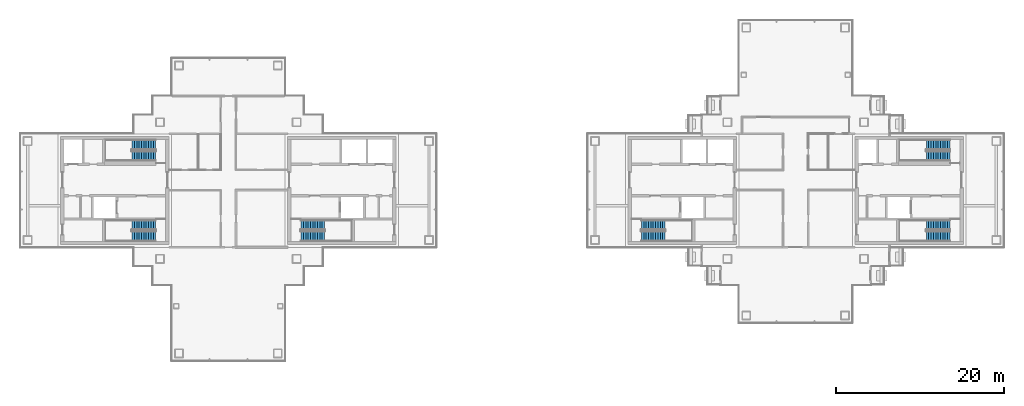
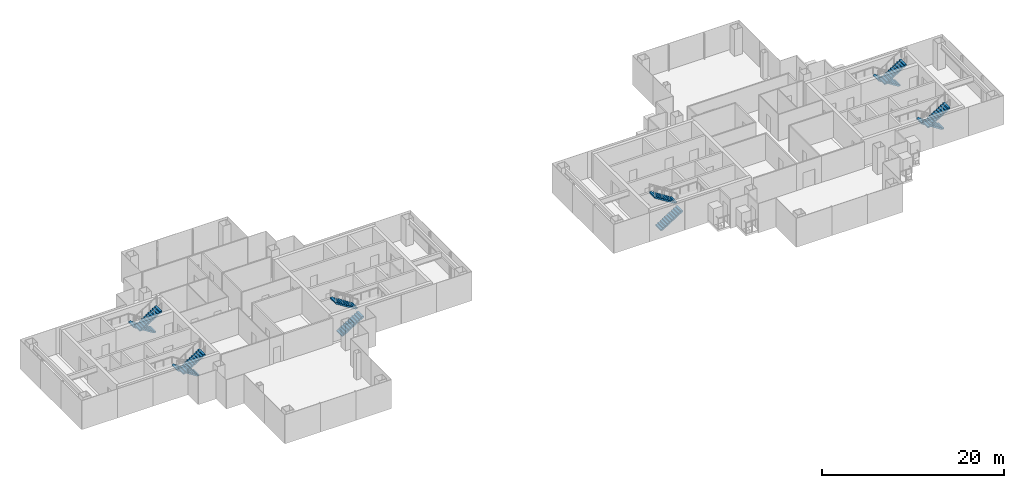
# One storey, part 13 of 16: 12 stair flights, 6 elements without a shape of their own.
"""IFC4 building model written with IfcOpenShell, lengths in metres."""

from ifc_helpers import new_model, si_unit, direction, frame, origin, place, context, subcontext, project, spatial, polyline, outline, extrude, material, type_object, element, aggregate, save


model = new_model("IFC4")

# Units and contexts
model_context = context("Model", 3, precision=1e-05, world=origin(), true_north=direction((0.0, 1.0)))
body_context = subcontext(model_context, "Body", "Model", "MODEL_VIEW")
ifc_project = project(units=[si_unit("LENGTHUNIT", "METRE"), si_unit("AREAUNIT", "SQUARE_METRE"), si_unit("VOLUMEUNIT", "CUBIC_METRE"), si_unit("PLANEANGLEUNIT", "RADIAN"), si_unit("MASSUNIT", "GRAM", prefix="KILO")], contexts=[model_context])

# Site, building, storey
site_placement = place(None, origin())
site = spatial("IfcSite", under=ifc_project, at=site_placement, CompositionType="ELEMENT")
building_placement = place(site_placement, origin())
building = spatial("IfcBuilding", under=site, at=building_placement, Name="Shamsa Quay Exchange Towers", CompositionType="ELEMENT")
storey_placement = place(building_placement, frame((0.0, 0.0, 213.89990234375)))
storey = spatial("IfcBuildingStorey", under=building, at=storey_placement, Name="L51", CompositionType="ELEMENT", Elevation=213.89990234375)

# Stair, stair flights
ifc_material = material(Name="Concrete C40/50", Category="concrete")
stair_type = type_object("IfcStairType", Name="EXIT STAIR 22 RISERS 177 MM", PredefinedType="HALF_TURN_STAIR", material=ifc_material)
stair_1_placement = place(storey_placement, origin())
stair_1 = element("IfcStair", 1, at=stair_1_placement, inside=storey, type_object=stair_type, Name="L51 Exit stair ST1", PredefinedType="HALF_TURN_STAIR")
stair_flight_type = type_object("IfcStairFlightType", Name="EXIT STAIR FLIGHT 11 RISERS 177 MM", PredefinedType="STRAIGHT", material=ifc_material)
stair_flight_1_placement = place(storey_placement, frame((-25.10009765625, -5.449951171875, 0.0)))
stair_flight_1 = element("IfcStairFlight", 2, at=stair_flight_1_placement, type_object=stair_flight_type, Name="ST1 flight 1", NumberOfRisers=11, NumberOfTreads=10, PredefinedType="STRAIGHT", RiserHeight=0.177272727, TreadLength=0.28, context=body_context, shape_type="SweptSolid", body=[
    extrude(outline(polyline([(0.0, 0.0), (0.0, 0.17724609375), (0.280029296875, 0.17724609375), (0.280029296875, 0.3544921875), (0.56005859375, 0.3544921875), (0.56005859375, 0.53173828125), (0.840087890625, 0.53173828125), (0.840087890625, 0.708984375), (1.1201171875, 0.708984375), (1.1201171875, 0.886474609375), (1.39990234375, 0.886474609375), (1.39990234375, 1.063720703125), (1.679931640625, 1.063720703125), (1.679931640625, 1.240966796875), (1.9599609375, 1.240966796875), (1.9599609375, 1.418212890625), (2.239990234375, 1.418212890625), (2.239990234375, 1.595458984375), (2.52001953125, 1.595458984375), (2.52001953125, 1.772705078125), (2.800048828125, 1.772705078125), (2.800048828125, 1.949951171875), (2.800048828125, 1.607177734375), (0.261474609375, 0.0), (0.0, 0.0)])), frame((0.0, 0.60009765625, 0.0), z_axis=(0.0, -1.0, 0.0), x_axis=(1.0, 0.0, 0.0)), (0.0, 0.0, 1.0), 1.199951171875),
])
stair_flight_2_placement = place(storey_placement, frame((-22.300048828125, -4.10009765625, 1.9501953125), z_axis=(0.0, 0.0, 1.0), x_axis=(-1.0, 0.0, 0.0)))
stair_flight_2 = element("IfcStairFlight", 3, at=stair_flight_2_placement, type_object=stair_flight_type, Name="ST1 flight 2", NumberOfRisers=11, NumberOfTreads=10, PredefinedType="STRAIGHT", RiserHeight=0.177272727, TreadLength=0.28, context=body_context, shape_type="SweptSolid", body=[
    extrude(outline(polyline([(0.0, 0.0), (0.0, 0.17724609375), (0.280029296875, 0.17724609375), (0.280029296875, 0.3544921875), (0.56005859375, 0.3544921875), (0.56005859375, 0.53173828125), (0.840087890625, 0.53173828125), (0.840087890625, 0.708984375), (1.1201171875, 0.708984375), (1.1201171875, 0.886474609375), (1.39990234375, 0.886474609375), (1.39990234375, 1.063720703125), (1.679931640625, 1.063720703125), (1.679931640625, 1.240966796875), (1.9599609375, 1.240966796875), (1.9599609375, 1.418212890625), (2.239990234375, 1.418212890625), (2.239990234375, 1.595458984375), (2.52001953125, 1.595458984375), (2.52001953125, 1.772705078125), (2.800048828125, 1.772705078125), (2.800048828125, 1.949951171875), (2.800048828125, 1.607177734375), (0.261474609375, 0.0), (0.0, 0.0)])), frame((0.0, 0.60009765625, 0.0), z_axis=(0.0, -1.0, 0.0), x_axis=(1.0, 0.0, 0.0)), (0.0, 0.0, 1.0), 1.199951171875),
])
aggregate(stair_1, [stair_flight_1, stair_flight_2])

stair_2_placement = place(storey_placement, origin())
stair_2 = element("IfcStair", 4, at=stair_2_placement, inside=storey, type_object=stair_type, Name="L51 Exit stair ST2", PredefinedType="HALF_TURN_STAIR")
stair_flight_3_placement = place(storey_placement, frame((-42.39990234375, -4.10009765625, 0.0), z_axis=(0.0, 0.0, 1.0), x_axis=(-1.0, 0.0, 0.0)))
stair_flight_3 = element("IfcStairFlight", 5, at=stair_flight_3_placement, type_object=stair_flight_type, Name="ST2 flight 1", NumberOfRisers=11, NumberOfTreads=10, PredefinedType="STRAIGHT", RiserHeight=0.177272727, TreadLength=0.28, context=body_context, shape_type="SweptSolid", body=[
    extrude(outline(polyline([(0.0, 0.0), (0.0, 0.17724609375), (0.280029296875, 0.17724609375), (0.280029296875, 0.3544921875), (0.56005859375, 0.3544921875), (0.56005859375, 0.53173828125), (0.840087890625, 0.53173828125), (0.840087890625, 0.708984375), (1.1201171875, 0.708984375), (1.1201171875, 0.886474609375), (1.39990234375, 0.886474609375), (1.39990234375, 1.063720703125), (1.679931640625, 1.063720703125), (1.679931640625, 1.240966796875), (1.9599609375, 1.240966796875), (1.9599609375, 1.418212890625), (2.239990234375, 1.418212890625), (2.239990234375, 1.595458984375), (2.52001953125, 1.595458984375), (2.52001953125, 1.772705078125), (2.800048828125, 1.772705078125), (2.800048828125, 1.949951171875), (2.800048828125, 1.607177734375), (0.261474609375, 0.0), (0.0, 0.0)])), frame((0.0, 0.60009765625, 0.0), z_axis=(0.0, -1.0, 0.0), x_axis=(1.0, 0.0, 0.0)), (0.0, 0.0, 1.0), 1.199951171875),
])
stair_flight_4_placement = place(storey_placement, frame((-45.199951171875, -5.449951171875, 1.9501953125)))
stair_flight_4 = element("IfcStairFlight", 6, at=stair_flight_4_placement, type_object=stair_flight_type, Name="ST2 flight 2", NumberOfRisers=11, NumberOfTreads=10, PredefinedType="STRAIGHT", RiserHeight=0.177272727, TreadLength=0.28, context=body_context, shape_type="SweptSolid", body=[
    extrude(outline(polyline([(0.0, 0.0), (0.0, 0.17724609375), (0.280029296875, 0.17724609375), (0.280029296875, 0.3544921875), (0.56005859375, 0.3544921875), (0.56005859375, 0.53173828125), (0.840087890625, 0.53173828125), (0.840087890625, 0.708984375), (1.1201171875, 0.708984375), (1.1201171875, 0.886474609375), (1.39990234375, 0.886474609375), (1.39990234375, 1.063720703125), (1.679931640625, 1.063720703125), (1.679931640625, 1.240966796875), (1.9599609375, 1.240966796875), (1.9599609375, 1.418212890625), (2.239990234375, 1.418212890625), (2.239990234375, 1.595458984375), (2.52001953125, 1.595458984375), (2.52001953125, 1.772705078125), (2.800048828125, 1.772705078125), (2.800048828125, 1.949951171875), (2.800048828125, 1.607177734375), (0.261474609375, 0.0), (0.0, 0.0)])), frame((0.0, 0.60009765625, 0.0), z_axis=(0.0, -1.0, 0.0), x_axis=(1.0, 0.0, 0.0)), (0.0, 0.0, 1.0), 1.199951171875),
])
aggregate(stair_2, [stair_flight_3, stair_flight_4])

stair_3_placement = place(storey_placement, origin())
stair_3 = element("IfcStair", 7, at=stair_3_placement, inside=storey, type_object=stair_type, Name="L51 Exit stair ST3", PredefinedType="HALF_TURN_STAIR")
stair_flight_5_placement = place(storey_placement, frame((-42.39990234375, 5.449951171875, 0.0), z_axis=(0.0, 0.0, 1.0), x_axis=(-1.0, 0.0, 0.0)))
stair_flight_5 = element("IfcStairFlight", 8, at=stair_flight_5_placement, type_object=stair_flight_type, Name="ST3 flight 1", NumberOfRisers=11, NumberOfTreads=10, PredefinedType="STRAIGHT", RiserHeight=0.177272727, TreadLength=0.28, context=body_context, shape_type="SweptSolid", body=[
    extrude(outline(polyline([(0.0, 0.0), (0.0, 0.17724609375), (0.280029296875, 0.17724609375), (0.280029296875, 0.3544921875), (0.56005859375, 0.3544921875), (0.56005859375, 0.53173828125), (0.840087890625, 0.53173828125), (0.840087890625, 0.708984375), (1.1201171875, 0.708984375), (1.1201171875, 0.886474609375), (1.39990234375, 0.886474609375), (1.39990234375, 1.063720703125), (1.679931640625, 1.063720703125), (1.679931640625, 1.240966796875), (1.9599609375, 1.240966796875), (1.9599609375, 1.418212890625), (2.239990234375, 1.418212890625), (2.239990234375, 1.595458984375), (2.52001953125, 1.595458984375), (2.52001953125, 1.772705078125), (2.800048828125, 1.772705078125), (2.800048828125, 1.949951171875), (2.800048828125, 1.607177734375), (0.261474609375, 0.0), (0.0, 0.0)])), frame((0.0, 0.60009765625, 0.0), z_axis=(0.0, -1.0, 0.0), x_axis=(1.0, 0.0, 0.0)), (0.0, 0.0, 1.0), 1.199951171875),
])
stair_flight_6_placement = place(storey_placement, frame((-45.199951171875, 4.10009765625, 1.9501953125)))
stair_flight_6 = element("IfcStairFlight", 9, at=stair_flight_6_placement, type_object=stair_flight_type, Name="ST3 flight 2", NumberOfRisers=11, NumberOfTreads=10, PredefinedType="STRAIGHT", RiserHeight=0.177272727, TreadLength=0.28, context=body_context, shape_type="SweptSolid", body=[
    extrude(outline(polyline([(0.0, 0.0), (0.0, 0.17724609375), (0.280029296875, 0.17724609375), (0.280029296875, 0.3544921875), (0.56005859375, 0.3544921875), (0.56005859375, 0.53173828125), (0.840087890625, 0.53173828125), (0.840087890625, 0.708984375), (1.1201171875, 0.708984375), (1.1201171875, 0.886474609375), (1.39990234375, 0.886474609375), (1.39990234375, 1.063720703125), (1.679931640625, 1.063720703125), (1.679931640625, 1.240966796875), (1.9599609375, 1.240966796875), (1.9599609375, 1.418212890625), (2.239990234375, 1.418212890625), (2.239990234375, 1.595458984375), (2.52001953125, 1.595458984375), (2.52001953125, 1.772705078125), (2.800048828125, 1.772705078125), (2.800048828125, 1.949951171875), (2.800048828125, 1.607177734375), (0.261474609375, 0.0), (0.0, 0.0)])), frame((0.0, 0.60009765625, 0.0), z_axis=(0.0, -1.0, 0.0), x_axis=(1.0, 0.0, 0.0)), (0.0, 0.0, 1.0), 1.199951171875),
])
aggregate(stair_3, [stair_flight_5, stair_flight_6])

stair_4_placement = place(storey_placement, origin())
stair_4 = element("IfcStair", 10, at=stair_4_placement, inside=storey, type_object=stair_type, Name="L51 Exit stair ST4", PredefinedType="HALF_TURN_STAIR")
stair_flight_7_placement = place(storey_placement, frame((15.39990234375, -5.449951171875, 0.0)))
stair_flight_7 = element("IfcStairFlight", 11, at=stair_flight_7_placement, type_object=stair_flight_type, Name="ST4 flight 1", NumberOfRisers=11, NumberOfTreads=10, PredefinedType="STRAIGHT", RiserHeight=0.177272727, TreadLength=0.28, context=body_context, shape_type="SweptSolid", body=[
    extrude(outline(polyline([(0.0, 0.0), (0.0, 0.17724609375), (0.280029296875, 0.17724609375), (0.280029296875, 0.3544921875), (0.56005859375, 0.3544921875), (0.56005859375, 0.53173828125), (0.840087890625, 0.53173828125), (0.840087890625, 0.708984375), (1.1201171875, 0.708984375), (1.1201171875, 0.886474609375), (1.39990234375, 0.886474609375), (1.39990234375, 1.063720703125), (1.679931640625, 1.063720703125), (1.679931640625, 1.240966796875), (1.9599609375, 1.240966796875), (1.9599609375, 1.418212890625), (2.239990234375, 1.418212890625), (2.239990234375, 1.595458984375), (2.52001953125, 1.595458984375), (2.52001953125, 1.772705078125), (2.800048828125, 1.772705078125), (2.800048828125, 1.949951171875), (2.800048828125, 1.607177734375), (0.261474609375, 0.0), (0.0, 0.0)])), frame((0.0, 0.60009765625, 0.0), z_axis=(0.0, -1.0, 0.0), x_axis=(1.0, 0.0, 0.0)), (0.0, 0.0, 1.0), 1.199951171875),
])
stair_flight_8_placement = place(storey_placement, frame((18.199951171875, -4.10009765625, 1.9501953125), z_axis=(0.0, 0.0, 1.0), x_axis=(-1.0, 0.0, 0.0)))
stair_flight_8 = element("IfcStairFlight", 12, at=stair_flight_8_placement, type_object=stair_flight_type, Name="ST4 flight 2", NumberOfRisers=11, NumberOfTreads=10, PredefinedType="STRAIGHT", RiserHeight=0.177272727, TreadLength=0.28, context=body_context, shape_type="SweptSolid", body=[
    extrude(outline(polyline([(0.0, 0.0), (0.0, 0.17724609375), (0.280029296875, 0.17724609375), (0.280029296875, 0.3544921875), (0.56005859375, 0.3544921875), (0.56005859375, 0.53173828125), (0.840087890625, 0.53173828125), (0.840087890625, 0.708984375), (1.1201171875, 0.708984375), (1.1201171875, 0.886474609375), (1.39990234375, 0.886474609375), (1.39990234375, 1.063720703125), (1.679931640625, 1.063720703125), (1.679931640625, 1.240966796875), (1.9599609375, 1.240966796875), (1.9599609375, 1.418212890625), (2.239990234375, 1.418212890625), (2.239990234375, 1.595458984375), (2.52001953125, 1.595458984375), (2.52001953125, 1.772705078125), (2.800048828125, 1.772705078125), (2.800048828125, 1.949951171875), (2.800048828125, 1.607177734375), (0.261474609375, 0.0), (0.0, 0.0)])), frame((0.0, 0.60009765625, 0.0), z_axis=(0.0, -1.0, 0.0), x_axis=(1.0, 0.0, 0.0)), (0.0, 0.0, 1.0), 1.199951171875),
])
aggregate(stair_4, [stair_flight_7, stair_flight_8])

stair_5_placement = place(storey_placement, origin())
stair_5 = element("IfcStair", 13, at=stair_5_placement, inside=storey, type_object=stair_type, Name="L51 Exit stair ST5", PredefinedType="HALF_TURN_STAIR")
stair_flight_9_placement = place(storey_placement, frame((52.10009765625, -4.10009765625, 0.0), z_axis=(0.0, 0.0, 1.0), x_axis=(-1.0, 0.0, 0.0)))
stair_flight_9 = element("IfcStairFlight", 14, at=stair_flight_9_placement, type_object=stair_flight_type, Name="ST5 flight 1", NumberOfRisers=11, NumberOfTreads=10, PredefinedType="STRAIGHT", RiserHeight=0.177272727, TreadLength=0.28, context=body_context, shape_type="SweptSolid", body=[
    extrude(outline(polyline([(0.0, 0.0), (0.0, 0.17724609375), (0.280029296875, 0.17724609375), (0.280029296875, 0.3544921875), (0.56005859375, 0.3544921875), (0.56005859375, 0.53173828125), (0.840087890625, 0.53173828125), (0.840087890625, 0.708984375), (1.1201171875, 0.708984375), (1.1201171875, 0.886474609375), (1.39990234375, 0.886474609375), (1.39990234375, 1.063720703125), (1.679931640625, 1.063720703125), (1.679931640625, 1.240966796875), (1.9599609375, 1.240966796875), (1.9599609375, 1.418212890625), (2.239990234375, 1.418212890625), (2.239990234375, 1.595458984375), (2.52001953125, 1.595458984375), (2.52001953125, 1.772705078125), (2.800048828125, 1.772705078125), (2.800048828125, 1.949951171875), (2.800048828125, 1.607177734375), (0.261474609375, 0.0), (0.0, 0.0)])), frame((0.0, 0.60009765625, 0.0), z_axis=(0.0, -1.0, 0.0), x_axis=(1.0, 0.0, 0.0)), (0.0, 0.0, 1.0), 1.199951171875),
])
stair_flight_10_placement = place(storey_placement, frame((49.300048828125, -5.449951171875, 1.9501953125)))
stair_flight_10 = element("IfcStairFlight", 15, at=stair_flight_10_placement, type_object=stair_flight_type, Name="ST5 flight 2", NumberOfRisers=11, NumberOfTreads=10, PredefinedType="STRAIGHT", RiserHeight=0.177272727, TreadLength=0.28, context=body_context, shape_type="SweptSolid", body=[
    extrude(outline(polyline([(0.0, 0.0), (0.0, 0.17724609375), (0.280029296875, 0.17724609375), (0.280029296875, 0.3544921875), (0.56005859375, 0.3544921875), (0.56005859375, 0.53173828125), (0.840087890625, 0.53173828125), (0.840087890625, 0.708984375), (1.1201171875, 0.708984375), (1.1201171875, 0.886474609375), (1.39990234375, 0.886474609375), (1.39990234375, 1.063720703125), (1.679931640625, 1.063720703125), (1.679931640625, 1.240966796875), (1.9599609375, 1.240966796875), (1.9599609375, 1.418212890625), (2.239990234375, 1.418212890625), (2.239990234375, 1.595458984375), (2.52001953125, 1.595458984375), (2.52001953125, 1.772705078125), (2.800048828125, 1.772705078125), (2.800048828125, 1.949951171875), (2.800048828125, 1.607177734375), (0.261474609375, 0.0), (0.0, 0.0)])), frame((0.0, 0.60009765625, 0.0), z_axis=(0.0, -1.0, 0.0), x_axis=(1.0, 0.0, 0.0)), (0.0, 0.0, 1.0), 1.199951171875),
])
aggregate(stair_5, [stair_flight_9, stair_flight_10])

stair_6_placement = place(storey_placement, origin())
stair_6 = element("IfcStair", 16, at=stair_6_placement, inside=storey, type_object=stair_type, Name="L51 Exit stair ST6", PredefinedType="HALF_TURN_STAIR")
stair_flight_11_placement = place(storey_placement, frame((52.10009765625, 5.449951171875, 0.0), z_axis=(0.0, 0.0, 1.0), x_axis=(-1.0, 0.0, 0.0)))
stair_flight_11 = element("IfcStairFlight", 17, at=stair_flight_11_placement, type_object=stair_flight_type, Name="ST6 flight 1", NumberOfRisers=11, NumberOfTreads=10, PredefinedType="STRAIGHT", RiserHeight=0.177272727, TreadLength=0.28, context=body_context, shape_type="SweptSolid", body=[
    extrude(outline(polyline([(0.0, 0.0), (0.0, 0.17724609375), (0.280029296875, 0.17724609375), (0.280029296875, 0.3544921875), (0.56005859375, 0.3544921875), (0.56005859375, 0.53173828125), (0.840087890625, 0.53173828125), (0.840087890625, 0.708984375), (1.1201171875, 0.708984375), (1.1201171875, 0.886474609375), (1.39990234375, 0.886474609375), (1.39990234375, 1.063720703125), (1.679931640625, 1.063720703125), (1.679931640625, 1.240966796875), (1.9599609375, 1.240966796875), (1.9599609375, 1.418212890625), (2.239990234375, 1.418212890625), (2.239990234375, 1.595458984375), (2.52001953125, 1.595458984375), (2.52001953125, 1.772705078125), (2.800048828125, 1.772705078125), (2.800048828125, 1.949951171875), (2.800048828125, 1.607177734375), (0.261474609375, 0.0), (0.0, 0.0)])), frame((0.0, 0.60009765625, 0.0), z_axis=(0.0, -1.0, 0.0), x_axis=(1.0, 0.0, 0.0)), (0.0, 0.0, 1.0), 1.199951171875),
])
stair_flight_12_placement = place(storey_placement, frame((49.300048828125, 4.10009765625, 1.9501953125)))
stair_flight_12 = element("IfcStairFlight", 18, at=stair_flight_12_placement, type_object=stair_flight_type, Name="ST6 flight 2", NumberOfRisers=11, NumberOfTreads=10, PredefinedType="STRAIGHT", RiserHeight=0.177272727, TreadLength=0.28, context=body_context, shape_type="SweptSolid", body=[
    extrude(outline(polyline([(0.0, 0.0), (0.0, 0.17724609375), (0.280029296875, 0.17724609375), (0.280029296875, 0.3544921875), (0.56005859375, 0.3544921875), (0.56005859375, 0.53173828125), (0.840087890625, 0.53173828125), (0.840087890625, 0.708984375), (1.1201171875, 0.708984375), (1.1201171875, 0.886474609375), (1.39990234375, 0.886474609375), (1.39990234375, 1.063720703125), (1.679931640625, 1.063720703125), (1.679931640625, 1.240966796875), (1.9599609375, 1.240966796875), (1.9599609375, 1.418212890625), (2.239990234375, 1.418212890625), (2.239990234375, 1.595458984375), (2.52001953125, 1.595458984375), (2.52001953125, 1.772705078125), (2.800048828125, 1.772705078125), (2.800048828125, 1.949951171875), (2.800048828125, 1.607177734375), (0.261474609375, 0.0), (0.0, 0.0)])), frame((0.0, 0.60009765625, 0.0), z_axis=(0.0, -1.0, 0.0), x_axis=(1.0, 0.0, 0.0)), (0.0, 0.0, 1.0), 1.199951171875),
])
aggregate(stair_6, [stair_flight_11, stair_flight_12])

save(model, "model.ifc")
